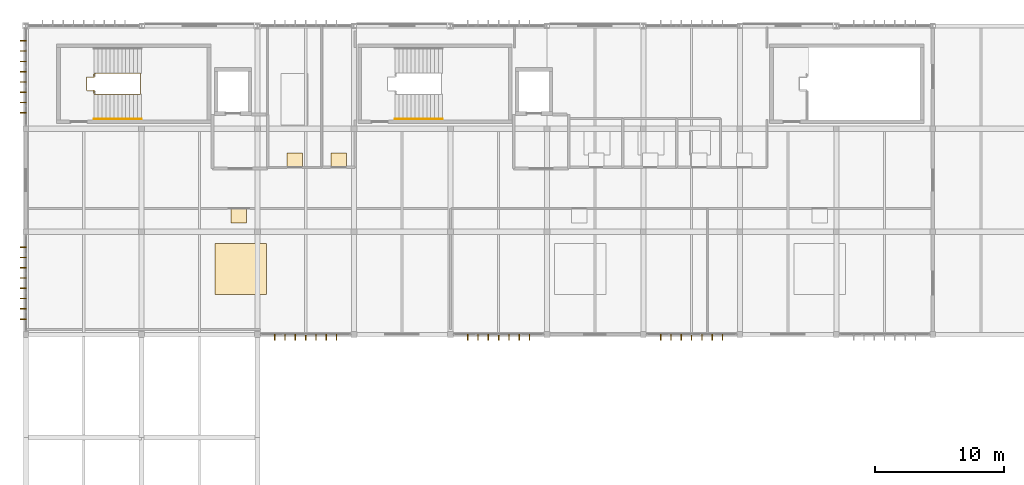
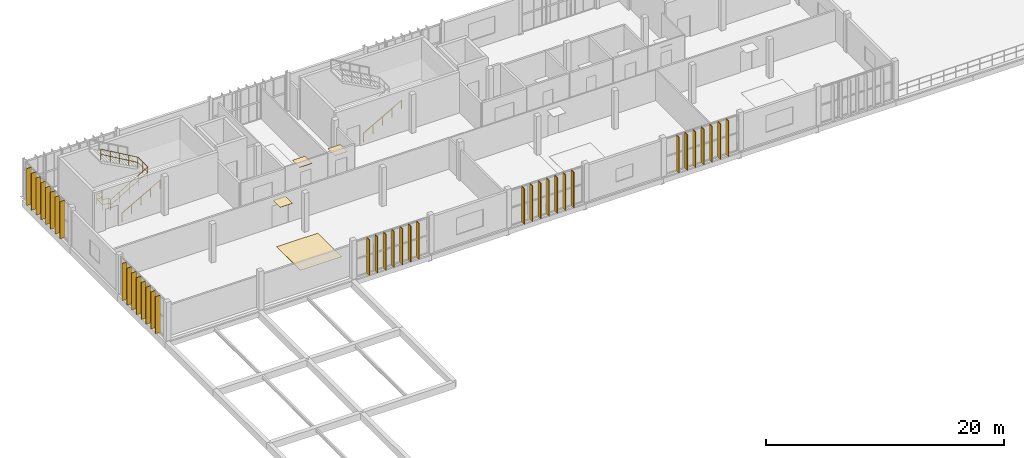
# One storey, part 23 of 26: 37 shading devices, 4 coverings, 4 railings.
"""IFC4 building model written with IfcOpenShell, lengths in metres."""

import ifcopenshell
import ifcopenshell.guid

model = None  # the IFC model being written
_history = None  # IfcOwnerHistory: only IFC2X3 demands one
_inside = {}  # id of a spatial element -> (the spatial element, [elements in it])
_under = {}  # id of a project, library or spatial element -> (it, [spatial elements below it])
_declared = {}  # id of a project -> (the project, [libraries it declares])
_typed = {}  # id of a type object -> (the type object, [elements of that type])
_made_of = {}  # id of a material, layer set ... -> (it, [elements and type objects made of it])


def new_model(schema):
    """Start an empty IFC model of exactly this schema.

    Asked for "IFC4X3", IfcOpenShell would pick the latest addendum, in which some entities
    have other attributes; the version numbers below select the first issue.
    IFC2X3 requires an IfcOwnerHistory on every rooted entity: one is made here for all.
    """
    global model, _history
    if schema == "IFC4X3":
        model = ifcopenshell.file(schema_version=(4, 3, 0, 0))
    else:
        model = ifcopenshell.file(schema=schema)
    _inside.clear()
    _under.clear()
    _declared.clear()
    _typed.clear()
    _made_of.clear()
    _history = None
    if model.schema == "IFC2X3":
        org = make("IfcOrganization", Name="unknown")
        user = make(
            "IfcPersonAndOrganization",
            ThePerson=make("IfcPerson", FamilyName="unknown"),
            TheOrganization=org,
        )
        app = make(
            "IfcApplication",
            ApplicationDeveloper=org,
            Version="unknown",
            ApplicationFullName="unknown",
            ApplicationIdentifier="unknown",
        )
        _history = make(
            "IfcOwnerHistory",
            OwningUser=user,
            OwningApplication=app,
            ChangeAction="ADDED",
            CreationDate=0,
        )
    return model


def make(cls, **values):
    """One entity of the class cls with the attributes given. An attribute that is None is left unset."""
    return model.create_entity(
        cls, **{name: value for name, value in values.items() if value is not None}
    )


def rooted(cls, **values):
    """An entity with a GlobalId (a new one), such as an element, a storey or a relation."""
    return make(cls, GlobalId=ifcopenshell.guid.new(), OwnerHistory=_history, **values)


def si_unit(unit_type, name, prefix=None):
    """IfcSIUnit, for example si_unit("LENGTHUNIT", "METRE", prefix="MILLI")."""
    return make("IfcSIUnit", UnitType=unit_type, Prefix=prefix, Name=name)


def assignment(units):
    """IfcUnitAssignment: the units of a project."""
    return None if units is None else make("IfcUnitAssignment", Units=units)


def point(xyz):
    """IfcCartesianPoint."""
    return None if xyz is None else make("IfcCartesianPoint", Coordinates=xyz)


def direction(xyz):
    """IfcDirection."""
    return None if xyz is None else make("IfcDirection", DirectionRatios=xyz)


def frame(location, z_axis=None, x_axis=None):
    """IfcAxis2Placement3D, a coordinate frame: its origin and axes. An axis left out is left unset."""
    return make(
        "IfcAxis2Placement3D",
        Location=point(location),
        Axis=direction(z_axis),
        RefDirection=direction(x_axis),
    )


def frame_2d(location, x_axis=None):
    """IfcAxis2Placement2D, a coordinate frame in the plane: its origin and x axis."""
    return make(
        "IfcAxis2Placement2D", Location=point(location), RefDirection=direction(x_axis)
    )


def origin():
    """The frame at (0, 0, 0) with its axes left unset."""
    return frame((0.0, 0.0, 0.0))


def origin_2d():
    """The frame at (0, 0) in the plane with its x axis left unset."""
    return frame_2d((0.0, 0.0))


def place(relative_to, where):
    """IfcLocalPlacement: puts the frame where relative to a parent placement (None: the world)."""
    return make(
        "IfcLocalPlacement", PlacementRelTo=relative_to, RelativePlacement=where
    )


def context(
    kind, dimensions, precision=None, world=None, true_north=None, identifier=None
):
    """IfcGeometricRepresentationContext, for example the 3D "Model" context."""
    return make(
        "IfcGeometricRepresentationContext",
        ContextIdentifier=identifier,
        ContextType=kind,
        CoordinateSpaceDimension=dimensions,
        Precision=precision,
        WorldCoordinateSystem=world,
        TrueNorth=true_north,
    )


def subcontext(parent, identifier, kind, view, scale=None):
    """IfcGeometricRepresentationSubContext, for example "Body" below "Model"."""
    return make(
        "IfcGeometricRepresentationSubContext",
        ContextIdentifier=identifier,
        ContextType=kind,
        ParentContext=parent,
        TargetScale=scale,
        TargetView=view,
    )


def project(units=None, contexts=None):
    """IfcProject with its units and contexts."""
    return rooted(
        "IfcProject",
        Name="project",
        RepresentationContexts=contexts,
        UnitsInContext=assignment(units),
    )


def spatial(cls, under=None, at=None, **own):
    """A site, building, storey or space (cls), placed at a placement, below another one or the project."""
    s = rooted(cls, ObjectPlacement=at, **own)
    if under is not None:
        _under.setdefault(under.id(), (under, []))[1].append(s)
    return s


def profile(cls, at=None, kind="AREA", **sizes):
    """A parametric profile (cls). Its sizes go by their IFC names, for example OverallWidth=200.0."""
    return make(cls, ProfileType=kind, Position=at, **sizes)


def rectangle(**sizes):
    """IfcRectangleProfileDef."""
    return profile("IfcRectangleProfileDef", **sizes)


def circle(**sizes):
    """IfcCircleProfileDef."""
    return profile("IfcCircleProfileDef", **sizes)


def extrude(swept, where, along, depth):
    """IfcExtrudedAreaSolid: the profile swept, set in the frame where, extruded along a direction by depth."""
    return make(
        "IfcExtrudedAreaSolid",
        SweptArea=swept,
        Position=where,
        ExtrudedDirection=direction(along),
        Depth=depth,
    )


def shape(context_of_items, identifier, shape_type, items):
    """IfcShapeRepresentation: the items that make up one representation, for example the "Body"."""
    return make(
        "IfcShapeRepresentation",
        ContextOfItems=context_of_items,
        RepresentationIdentifier=identifier,
        RepresentationType=shape_type,
        Items=items,
    )


def material(Name=None, Category=None):
    """IfcMaterial."""
    return make("IfcMaterial", Name=Name, Category=Category)


def layer(
    of_material, thickness, ventilated=None, Name=None, Category=None, Priority=None
):
    """IfcMaterialLayer: one layer of a wall or slab, of a material (None: an air gap)."""
    return make(
        "IfcMaterialLayer",
        Material=of_material,
        LayerThickness=thickness,
        IsVentilated=ventilated,
        Name=Name,
        Category=Category,
        Priority=Priority,
    )


def layer_set(layers, Name=None):
    """IfcMaterialLayerSet."""
    return make("IfcMaterialLayerSet", MaterialLayers=layers, LayerSetName=Name)


def material_profile(
    of_material, cross_section, Name=None, Category=None, Priority=None
):
    """IfcMaterialProfile: a cross section and its material."""
    return make(
        "IfcMaterialProfile",
        Name=Name,
        Material=of_material,
        Profile=cross_section,
        Priority=Priority,
        Category=Category,
    )


def profile_set(profiles, Name=None, composite=None):
    """IfcMaterialProfileSet."""
    return make(
        "IfcMaterialProfileSet",
        Name=Name,
        MaterialProfiles=profiles,
        CompositeProfile=composite,
    )


def made_of(thing, what):
    """Note that an element or type object is made of a material, layer set ...; save() writes the relation."""
    if what is not None:
        _made_of.setdefault(what.id(), (what, []))[1].append(thing)
    return thing


def type_object(cls, material=None, **own):
    """A type object (cls), such as IfcWallType, which elements share."""
    return made_of(rooted(cls, **own), material)


def element(
    cls,
    number,
    at=None,
    inside=None,
    cuts=None,
    type_object=None,
    material=None,
    context=None,
    identifier="Body",
    shape_type=None,
    held_by="IfcProductDefinitionShape",
    body=None,
    shapes=None,
    **own,
):
    """One element of the class cls, such as IfcWall. Its Tag is "e" and its number.

    at: its placement. inside: the storey or other place that contains it. cuts: it is an
    opening in that element (IfcRelVoidsElement). A single representation is given by context,
    identifier, shape_type and body (its items); several are given by shapes. held_by: the class
    of the entity that holds the representations. save() writes the other relations.
    """
    e = rooted(cls, Tag="e%d" % number, ObjectPlacement=at, **own)
    if body is not None:
        shapes = [shape(context, identifier, shape_type, body)]
    if shapes is not None:
        e.Representation = make(held_by, Representations=shapes)
    if inside is not None:
        _inside.setdefault(inside.id(), (inside, []))[1].append(e)
    if cuts is not None:
        rooted(
            "IfcRelVoidsElement", RelatingBuildingElement=cuts, RelatedOpeningElement=e
        )
    if type_object is not None:
        _typed.setdefault(type_object.id(), (type_object, []))[1].append(e)
    return made_of(e, material)


def aggregate(whole, parts):
    """IfcRelAggregates: a whole, such as a stair, and the parts it consists of."""
    return rooted("IfcRelAggregates", RelatingObject=whole, RelatedObjects=parts)


def save(model, path):
    """Write the relations noted so far, then the file.

    IfcRelAggregates (storeys below a building ...), IfcRelContainedInSpatialStructure (elements
    in a storey), IfcRelDefinesByType, IfcRelAssociatesMaterial and IfcRelDeclares: one each for
    every whole, place, type object, material and project.
    """
    for whole, parts in _under.values():
        aggregate(whole, parts)
    for where, things in _inside.values():
        rooted(
            "IfcRelContainedInSpatialStructure",
            RelatedElements=things,
            RelatingStructure=where,
        )
    for kind, things in _typed.values():
        rooted("IfcRelDefinesByType", RelatedObjects=things, RelatingType=kind)
    for what, things in _made_of.values():
        rooted("IfcRelAssociatesMaterial", RelatedObjects=things, RelatingMaterial=what)
    for by, libraries in _declared.values():
        rooted("IfcRelDeclares", RelatingContext=by, RelatedDefinitions=libraries)
    model.write(path)


model = new_model("IFC4")

# Units and contexts
model_context = context("Model", 3, precision=1e-05, world=origin(), true_north=direction((0.0, 1.0)))
body_context = subcontext(model_context, "Body", "Model", "MODEL_VIEW")
ifc_project = project(units=[si_unit("LENGTHUNIT", "METRE"), si_unit("AREAUNIT", "SQUARE_METRE"), si_unit("VOLUMEUNIT", "CUBIC_METRE"), si_unit("PLANEANGLEUNIT", "RADIAN"), si_unit("MASSUNIT", "GRAM", prefix="KILO")], contexts=[model_context])

# Site, building, storey
site_placement = place(None, origin())
site = spatial("IfcSite", under=ifc_project, at=site_placement, CompositionType="ELEMENT")
building_placement = place(site_placement, origin())
building = spatial("IfcBuilding", under=site, at=building_placement, Name="Vourika Railside Aquatics Centre", CompositionType="ELEMENT")
storey_placement = place(building_placement, frame((0.0, 0.0, 17.699951171875)))
storey = spatial("IfcBuildingStorey", under=building, at=storey_placement, Name="L04", CompositionType="ELEMENT", Elevation=17.699951171875)

# Coverings
ifc_material_1 = material(Name="Perforated moisture-resistant acoustic gypsum ceiling")
ifc_layer_1 = layer(ifc_material_1, 0.02490234375, Name="COV-CEIL-25")
ifc_layer_set_1 = layer_set([ifc_layer_1], Name="Perforated moisture-resistant acoustic gypsum ceiling")
covering_type_1 = type_object("IfcCoveringType", Name="COV-CEIL-25", PredefinedType="CEILING", material=ifc_layer_set_1)
for number, where, z_axis, x_axis, name in (
    (1, (34.552490234375, 101.280029296875, 2.6376953125), (0.0, 0.0, 1.0), (1.0, 0.0, 0.0), "High-Performance Athletic Conditioning Studio Acoustic Ceiling Panel"),
    (2, (38.89990234375, 105.52001953125, 2.6376953125), (0.0, 0.0, 1.0), (1.0, 0.0, 0.0), "National Coaching Classroom West Acoustic Ceiling Panel"),
    (3, (42.320068359375, 105.52001953125, 2.6376953125), (0.0, 0.0, 1.0), (1.0, 0.0, 0.0), "Academy Audio-Visual and Training Store Acoustic Ceiling Panel"),
):
    element("IfcCovering", number, at=place(storey_placement, frame(where, z_axis=z_axis, x_axis=x_axis)), inside=storey, type_object=covering_type_1, Name=name, PredefinedType="CEILING", context=body_context, shape_type="SweptSolid", body=[
        extrude(rectangle(XDim=1.199951171875, YDim=1.199951171875, at=origin_2d()), origin(), (0.0, 0.0, 1.0), 0.02490234375),
    ])
ifc_material_2 = material(Name="Slip-resistant aqua ceramic sports flooring")
ifc_layer_2 = layer(ifc_material_2, 0.02001953125, Name="COV-FLOR-20")
ifc_layer_set_2 = layer_set([ifc_layer_2], Name="Slip-resistant aqua ceramic sports flooring")
covering_type_2 = type_object("IfcCoveringType", Name="COV-FLOR-20", PredefinedType="FLOORING", material=ifc_layer_set_2)
covering_placement = place(storey_placement, frame((34.699951171875, 97.10009765625, 0.0), z_axis=(0.0, 0.0, 1.0), x_axis=(1.0, 0.0, 0.0)))
element("IfcCovering", 4, at=covering_placement, inside=storey, type_object=covering_type_2, Name="High-Performance Athletic Conditioning Studio Sports Flooring Panel", PredefinedType="FLOORING", context=body_context, shape_type="SweptSolid", body=[
    extrude(rectangle(XDim=4.0, YDim=4.0, at=origin_2d()), origin(), (0.0, 0.0, 1.0), 0.02001953125),
])

# Railings
ifc_material_3 = material(Name="Duplex stainless steel EN 1.4462", Category="steel")
railing_type_1 = type_object("IfcRailingType", Name="RL-HAND-920", PredefinedType="HANDRAIL", material=ifc_material_3)
for number, where, name in (
    (5, (23.300048828125, 108.760009765625, 0.0), "Protected Exit Stair Core ST01 Lower Wall Handrail (L04)"),
    (6, (46.699951171875, 108.760009765625, 0.0), "Protected Exit Stair Core ST02 Lower Wall Handrail (L04)"),
):
    element("IfcRailing", number, at=place(storey_placement, frame(where)), inside=storey, type_object=railing_type_1, Name=name, PredefinedType="HANDRAIL", context=body_context, shape_type="SweptSolid", body=[
        extrude(circle(Radius=0.02392578125, at=origin_2d()), frame((0.0, 0.0, 0.89599609375), z_axis=(0.869449269089, 0.0, 0.494022234804), x_axis=(0.0, 1.0, 0.0)), (0.0, 0.0, 1.0), 4.2509765625),
        extrude(circle(Radius=0.02099609375, at=origin_2d()), origin(), (0.0, 0.0, 1.0), 0.871826171875),
        extrude(circle(Radius=0.02099609375, at=origin_2d()), frame((0.924072265625, 0.0, 0.52490234375)), (0.0, 0.0, 1.0), 0.871826171875),
        extrude(circle(Radius=0.02099609375, at=origin_2d()), frame((1.84814453125, 0.0, 1.050048828125)), (0.0, 0.0, 1.0), 0.871826171875),
        extrude(circle(Radius=0.02099609375, at=origin_2d()), frame((2.77197265625, 0.0, 1.5751953125)), (0.0, 0.0, 1.0), 0.871826171875),
        extrude(circle(Radius=0.02099609375, at=origin_2d()), frame((3.696044921875, 0.0, 2.10009765625)), (0.0, 0.0, 1.0), 0.871826171875),
    ])
railing_type_2 = type_object("IfcRailingType", Name="RL-STAIR-1120", PredefinedType="BALUSTRADE", material=ifc_material_3)
railing_1_placement = place(storey_placement, frame((23.300048828125, 110.75, 0.0)))
element("IfcRailing", 7, at=railing_1_placement, inside=storey, type_object=railing_type_2, Name="Protected Exit Stair Core ST01 Well Edge Guard (L04)", PredefinedType="BALUSTRADE", context=body_context, shape_type="SweptSolid", body=[
    extrude(circle(Radius=0.02392578125, at=origin_2d()), frame((0.0, 0.0, 1.09619140625), z_axis=(0.0, 1.0, 0.0), x_axis=(-1.0, 0.0, 0.0)), (0.0, 0.0, 1.0), 0.25),
    extrude(circle(Radius=0.02392578125, at=origin_2d()), frame((0.0, 0.0, 0.56005859375), z_axis=(0.0, 1.0, 0.0), x_axis=(-1.0, 0.0, 0.0)), (0.0, 0.0, 1.0), 0.25),
    extrude(circle(Radius=0.02392578125, at=origin_2d()), frame((0.0, 0.25, 1.09619140625), z_axis=(-1.0, 0.0, 0.0), x_axis=(0.0, -1.0, 0.0)), (0.0, 0.0, 1.0), 0.570068359375),
    extrude(circle(Radius=0.02392578125, at=origin_2d()), frame((0.0, 0.25, 0.56005859375), z_axis=(-1.0, 0.0, 0.0), x_axis=(0.0, -1.0, 0.0)), (0.0, 0.0, 1.0), 0.570068359375),
    extrude(circle(Radius=0.02392578125, at=origin_2d()), frame((-0.570068359375, 0.25, 1.09619140625), z_axis=(0.0, 1.0, 0.0), x_axis=(-1.0, 0.0, 0.0)), (0.0, 0.0, 1.0), 1.0),
    extrude(circle(Radius=0.02392578125, at=origin_2d()), frame((-0.570068359375, 0.25, 0.56005859375), z_axis=(0.0, 1.0, 0.0), x_axis=(-1.0, 0.0, 0.0)), (0.0, 0.0, 1.0), 1.0),
    extrude(circle(Radius=0.02392578125, at=origin_2d()), frame((-0.570068359375, 1.25, 1.09619140625), z_axis=(1.0, 0.0, 0.0), x_axis=(0.0, 1.0, 0.0)), (0.0, 0.0, 1.0), 0.570068359375),
    extrude(circle(Radius=0.02392578125, at=origin_2d()), frame((-0.570068359375, 1.25, 0.56005859375), z_axis=(1.0, 0.0, 0.0), x_axis=(0.0, 1.0, 0.0)), (0.0, 0.0, 1.0), 0.570068359375),
    extrude(circle(Radius=0.02392578125, at=origin_2d()), frame((0.0, 1.25, 1.09619140625), z_axis=(0.0, 1.0, 0.0), x_axis=(-1.0, 0.0, 0.0)), (0.0, 0.0, 1.0), 0.25),
    extrude(circle(Radius=0.02392578125, at=origin_2d()), frame((0.0, 1.25, 0.56005859375), z_axis=(0.0, 1.0, 0.0), x_axis=(-1.0, 0.0, 0.0)), (0.0, 0.0, 1.0), 0.25),
    extrude(circle(Radius=0.02099609375, at=origin_2d()), origin(), (0.0, 0.0, 1.0), 1.072021484375),
    extrude(circle(Radius=0.02099609375, at=origin_2d()), frame((0.0, 0.25, 0.0)), (0.0, 0.0, 1.0), 1.072021484375),
    extrude(circle(Radius=0.02099609375, at=origin_2d()), frame((-0.570068359375, 0.25, 0.0)), (0.0, 0.0, 1.0), 1.072021484375),
    extrude(circle(Radius=0.02099609375, at=origin_2d()), frame((-0.570068359375, 1.25, 0.0)), (0.0, 0.0, 1.0), 1.072021484375),
    extrude(circle(Radius=0.02099609375, at=origin_2d()), frame((0.0, 1.25, 0.0)), (0.0, 0.0, 1.0), 1.072021484375),
    extrude(circle(Radius=0.02099609375, at=origin_2d()), frame((0.0, 1.5, 0.0)), (0.0, 0.0, 1.0), 1.072021484375),
])
railing_2_placement = place(storey_placement, frame((23.300048828125, 110.679931640625, 0.0)))
element("IfcRailing", 8, at=railing_2_placement, inside=storey, type_object=railing_type_2, Name="Protected Exit Stair Core ST01 Center Well Guard (L04)", PredefinedType="BALUSTRADE", context=body_context, shape_type="SweptSolid", body=[
    extrude(circle(Radius=0.02392578125, at=origin_2d()), frame((0.0, 0.0, 1.09619140625), z_axis=(0.863521496458, 0.0, 0.504312031539), x_axis=(0.0, 1.0, 0.0)), (0.0, 0.0, 1.0), 4.164306640625),
    extrude(circle(Radius=0.02392578125, at=origin_2d()), frame((0.0, 0.0, 0.56005859375), z_axis=(0.863521496458, 0.0, 0.504312031539), x_axis=(0.0, 1.0, 0.0)), (0.0, 0.0, 1.0), 4.164306640625),
    extrude(circle(Radius=0.02392578125, at=origin_2d()), frame((3.595947265625, 0.0, 3.1962890625), z_axis=(0.0, 1.0, 0.0), x_axis=(-1.0, 0.0, 0.0)), (0.0, 0.0, 1.0), 1.64013671875),
    extrude(circle(Radius=0.02392578125, at=origin_2d()), frame((3.595947265625, 0.0, 2.66015625), z_axis=(0.0, 1.0, 0.0), x_axis=(-1.0, 0.0, 0.0)), (0.0, 0.0, 1.0), 1.64013671875),
    extrude(circle(Radius=0.02392578125, at=origin_2d()), frame((3.595947265625, 1.64013671875, 3.1962890625), z_axis=(-0.863547027374, 0.0, 0.504268313018), x_axis=(0.0, -1.0, 0.0)), (0.0, 0.0, 1.0), 4.1640625),
    extrude(circle(Radius=0.02392578125, at=origin_2d()), frame((3.595947265625, 1.64013671875, 2.66015625), z_axis=(-0.863547027374, 0.0, 0.504268313018), x_axis=(0.0, -1.0, 0.0)), (0.0, 0.0, 1.0), 4.1640625),
    extrude(circle(Radius=0.02099609375, at=origin_2d()), origin(), (0.0, 0.0, 1.0), 1.072021484375),
    extrude(circle(Radius=0.02099609375, at=origin_2d()), frame((0.89892578125, 0.0, 0.52490234375)), (0.0, 0.0, 1.0), 1.072021484375),
    extrude(circle(Radius=0.02099609375, at=origin_2d()), frame((1.7978515625, 0.0, 1.050048828125)), (0.0, 0.0, 1.0), 1.072021484375),
    extrude(circle(Radius=0.02099609375, at=origin_2d()), frame((2.697021484375, 0.0, 1.5751953125)), (0.0, 0.0, 1.0), 1.072021484375),
    extrude(circle(Radius=0.02099609375, at=origin_2d()), frame((3.595947265625, 0.0, 2.10009765625)), (0.0, 0.0, 1.0), 1.072021484375),
    extrude(circle(Radius=0.02099609375, at=origin_2d()), frame((3.595947265625, 0.820068359375, 2.10009765625)), (0.0, 0.0, 1.0), 1.072021484375),
    extrude(circle(Radius=0.02099609375, at=origin_2d()), frame((3.595947265625, 1.64013671875, 2.10009765625)), (0.0, 0.0, 1.0), 1.072021484375),
    extrude(circle(Radius=0.02099609375, at=origin_2d()), frame((2.697021484375, 1.64013671875, 2.625)), (0.0, 0.0, 1.0), 1.072021484375),
    extrude(circle(Radius=0.02099609375, at=origin_2d()), frame((1.7978515625, 1.64013671875, 3.14990234375)), (0.0, 0.0, 1.0), 1.072021484375),
    extrude(circle(Radius=0.02099609375, at=origin_2d()), frame((0.89892578125, 1.64013671875, 3.675048828125)), (0.0, 0.0, 1.0), 1.072021484375),
    extrude(circle(Radius=0.02099609375, at=origin_2d()), frame((0.0, 1.64013671875, 4.199951171875)), (0.0, 0.0, 1.0), 1.072021484375),
])

# Shading devices
ifc_material_4 = material(Name="Bronze-anodized extruded aluminium", Category="aluminium")
ifc_material_profile = material_profile(ifc_material_4, rectangle(XDim=0.06005859375, YDim=0.47998046875, at=origin_2d()), Name="ALU-FIN 60x480")
ifc_profile_set = profile_set([ifc_material_profile], Name="Bronze-anodized extruded aluminium")
shading_device_type = type_object("IfcShadingDeviceType", Name="SHD-FIN-F48A", PredefinedType="USERDEFINED", material=ifc_profile_set)
for number, where, z_axis, x_axis, name in (
    (9, (37.35009765625, 91.784912109375, 0.0), (0.0, 0.0, 1.0), (-1.0, 0.0, 0.0), "Vertical Solar Fin VSF-1153"),
    (10, (38.14990234375, 91.784912109375, 0.0), (0.0, 0.0, 1.0), (-1.0, 0.0, 0.0), "Vertical Solar Fin VSF-1154"),
    (11, (38.949951171875, 91.784912109375, 0.0), (0.0, 0.0, 1.0), (-1.0, 0.0, 0.0), "Vertical Solar Fin VSF-1155"),
    (12, (39.75, 91.784912109375, 0.0), (0.0, 0.0, 1.0), (-1.0, 0.0, 0.0), "Vertical Solar Fin VSF-1156"),
    (13, (40.550048828125, 91.784912109375, 0.0), (0.0, 0.0, 1.0), (-1.0, 0.0, 0.0), "Vertical Solar Fin VSF-1157"),
    (14, (41.35009765625, 91.784912109375, 0.0), (0.0, 0.0, 1.0), (-1.0, 0.0, 0.0), "Vertical Solar Fin VSF-1158"),
    (15, (42.14990234375, 91.784912109375, 0.0), (0.0, 0.0, 1.0), (-1.0, 0.0, 0.0), "Vertical Solar Fin VSF-1159"),
    (16, (52.35009765625, 91.784912109375, 0.0), (0.0, 0.0, 1.0), (-1.0, 0.0, 0.0), "Vertical Solar Fin VSF-1160"),
    (17, (53.14990234375, 91.784912109375, 0.0), (0.0, 0.0, 1.0), (-1.0, 0.0, 0.0), "Vertical Solar Fin VSF-1161"),
    (18, (53.949951171875, 91.784912109375, 0.0), (0.0, 0.0, 1.0), (-1.0, 0.0, 0.0), "Vertical Solar Fin VSF-1162"),
    (19, (54.75, 91.784912109375, 0.0), (0.0, 0.0, 1.0), (-1.0, 0.0, 0.0), "Vertical Solar Fin VSF-1163"),
    (20, (55.550048828125, 91.784912109375, 0.0), (0.0, 0.0, 1.0), (-1.0, 0.0, 0.0), "Vertical Solar Fin VSF-1164"),
    (21, (56.35009765625, 91.784912109375, 0.0), (0.0, 0.0, 1.0), (-1.0, 0.0, 0.0), "Vertical Solar Fin VSF-1165"),
    (22, (57.14990234375, 91.784912109375, 0.0), (0.0, 0.0, 1.0), (-1.0, 0.0, 0.0), "Vertical Solar Fin VSF-1166"),
    (23, (67.35009765625, 91.784912109375, 0.0), (0.0, 0.0, 1.0), (-1.0, 0.0, 0.0), "Vertical Solar Fin VSF-1167"),
    (24, (68.14990234375, 91.784912109375, 0.0), (0.0, 0.0, 1.0), (-1.0, 0.0, 0.0), "Vertical Solar Fin VSF-1168"),
    (25, (68.949951171875, 91.784912109375, 0.0), (0.0, 0.0, 1.0), (-1.0, 0.0, 0.0), "Vertical Solar Fin VSF-1169"),
    (26, (69.75, 91.784912109375, 0.0), (0.0, 0.0, 1.0), (-1.0, 0.0, 0.0), "Vertical Solar Fin VSF-1170"),
    (27, (70.550048828125, 91.784912109375, 0.0), (0.0, 0.0, 1.0), (-1.0, 0.0, 0.0), "Vertical Solar Fin VSF-1171"),
    (28, (71.35009765625, 91.784912109375, 0.0), (0.0, 0.0, 1.0), (-1.0, 0.0, 0.0), "Vertical Solar Fin VSF-1172"),
    (29, (72.14990234375, 91.784912109375, 0.0), (0.0, 0.0, 1.0), (-1.0, 0.0, 0.0), "Vertical Solar Fin VSF-1173"),
):
    element("IfcShadingDevice", number, at=place(storey_placement, frame(where, z_axis=z_axis, x_axis=x_axis)), inside=storey, type_object=shading_device_type, Name=name, ObjectType="FIN", PredefinedType="USERDEFINED", context=body_context, shape_type="SweptSolid", body=[
        extrude(rectangle(XDim=0.06005859375, YDim=0.47998046875, at=origin_2d()), origin(), (0.0, 0.0, 1.0), 3.670166015625),
    ])
for number, where, z_axis, x_axis, name in (
    (30, (17.784912109375, 93.199951171875, 0.0), (0.0, 0.0, 1.0), (0.0, 1.0, 0.0), "Vertical Solar Fin VSF-1181"),
    (31, (17.784912109375, 94.0, 0.0), (0.0, 0.0, 1.0), (0.0, 1.0, 0.0), "Vertical Solar Fin VSF-1182"),
    (32, (17.784912109375, 94.800048828125, 0.0), (0.0, 0.0, 1.0), (0.0, 1.0, 0.0), "Vertical Solar Fin VSF-1183"),
    (33, (17.784912109375, 95.60009765625, 0.0), (0.0, 0.0, 1.0), (0.0, 1.0, 0.0), "Vertical Solar Fin VSF-1184"),
    (34, (17.784912109375, 96.39990234375, 0.0), (0.0, 0.0, 1.0), (0.0, 1.0, 0.0), "Vertical Solar Fin VSF-1185"),
    (35, (17.784912109375, 97.199951171875, 0.0), (0.0, 0.0, 1.0), (0.0, 1.0, 0.0), "Vertical Solar Fin VSF-1186"),
    (36, (17.784912109375, 98.0, 0.0), (0.0, 0.0, 1.0), (0.0, 1.0, 0.0), "Vertical Solar Fin VSF-1187"),
    (37, (17.784912109375, 98.800048828125, 0.0), (0.0, 0.0, 1.0), (0.0, 1.0, 0.0), "Vertical Solar Fin VSF-1188"),
    (38, (17.784912109375, 109.237548828125, 0.0), (0.0, 0.0, 1.0), (0.0, 1.0, 0.0), "Vertical Solar Fin VSF-1189"),
    (39, (17.784912109375, 110.03759765625, 0.0), (0.0, 0.0, 1.0), (0.0, 1.0, 0.0), "Vertical Solar Fin VSF-1190"),
    (40, (17.784912109375, 110.83740234375, 0.0), (0.0, 0.0, 1.0), (0.0, 1.0, 0.0), "Vertical Solar Fin VSF-1191"),
    (41, (17.784912109375, 111.637451171875, 0.0), (0.0, 0.0, 1.0), (0.0, 1.0, 0.0), "Vertical Solar Fin VSF-1192"),
    (42, (17.784912109375, 112.4375, 0.0), (0.0, 0.0, 1.0), (0.0, 1.0, 0.0), "Vertical Solar Fin VSF-1193"),
    (43, (17.784912109375, 113.237548828125, 0.0), (0.0, 0.0, 1.0), (0.0, 1.0, 0.0), "Vertical Solar Fin VSF-1194"),
    (44, (17.784912109375, 114.03759765625, 0.0), (0.0, 0.0, 1.0), (0.0, 1.0, 0.0), "Vertical Solar Fin VSF-1195"),
    (45, (17.784912109375, 114.83740234375, 0.0), (0.0, 0.0, 1.0), (0.0, 1.0, 0.0), "Vertical Solar Fin VSF-1196"),
):
    element("IfcShadingDevice", number, at=place(storey_placement, frame(where, z_axis=z_axis, x_axis=x_axis)), inside=storey, type_object=shading_device_type, Name=name, ObjectType="FIN", PredefinedType="USERDEFINED", context=body_context, shape_type="SweptSolid", body=[
        extrude(rectangle(XDim=0.06005859375, YDim=0.47998046875, at=origin_2d()), origin(), (0.0, 0.0, 1.0), 3.800048828125),
    ])

save(model, "model.ifc")
